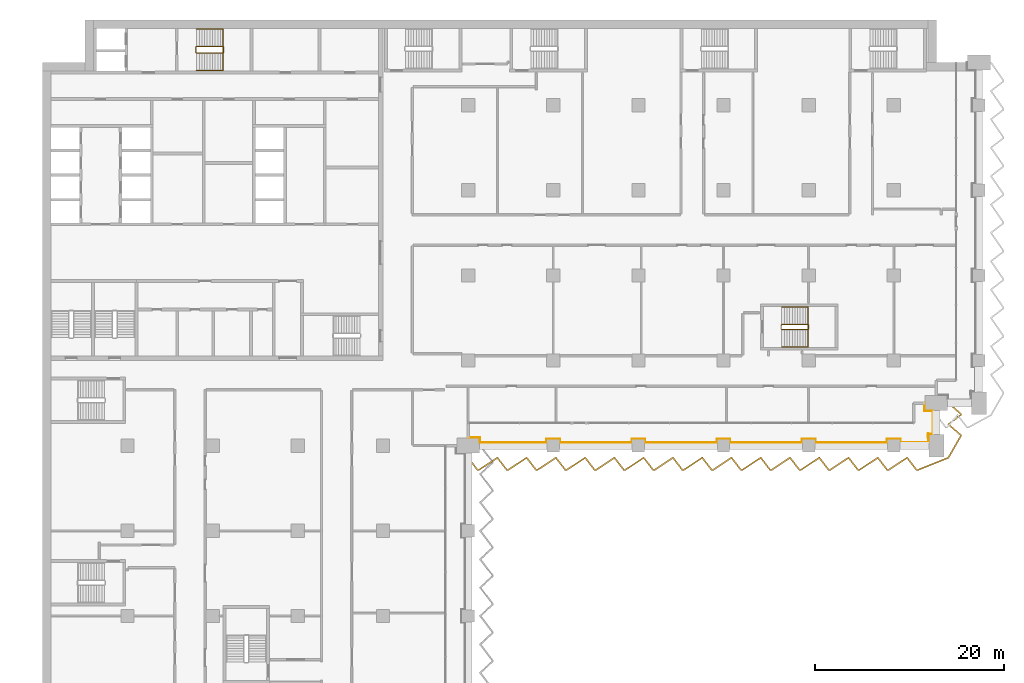
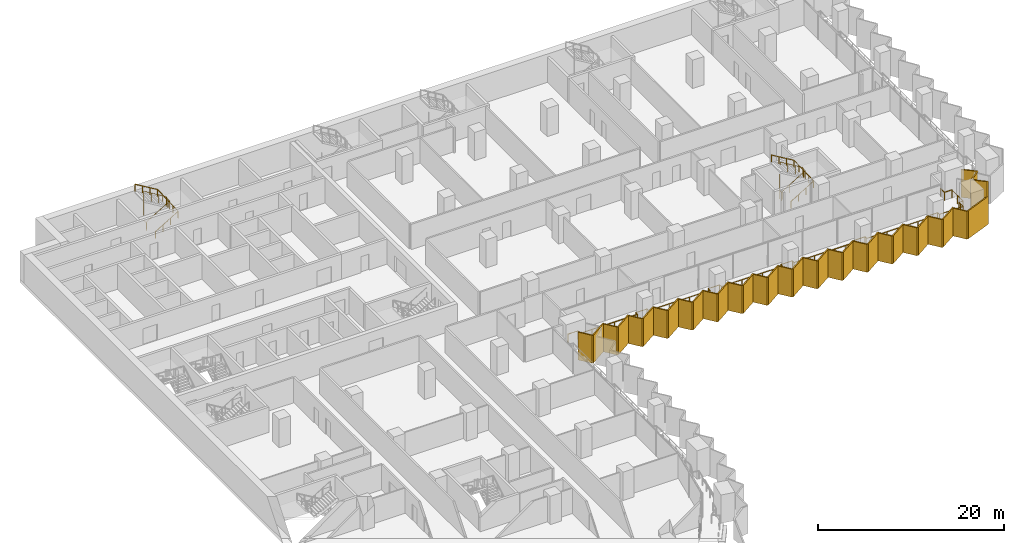
# One storey, part 27 of 29: 5 railings, 1 shading device.
"""IFC4 building model written with IfcOpenShell, lengths in metres."""

import ifcopenshell
import ifcopenshell.guid

model = None  # the IFC model being written
_history = None  # IfcOwnerHistory: only IFC2X3 demands one
_inside = {}  # id of a spatial element -> (the spatial element, [elements in it])
_under = {}  # id of a project, library or spatial element -> (it, [spatial elements below it])
_declared = {}  # id of a project -> (the project, [libraries it declares])
_typed = {}  # id of a type object -> (the type object, [elements of that type])
_made_of = {}  # id of a material, layer set ... -> (it, [elements and type objects made of it])


def new_model(schema):
    """Start an empty IFC model of exactly this schema.

    Asked for "IFC4X3", IfcOpenShell would pick the latest addendum, in which some entities
    have other attributes; the version numbers below select the first issue.
    IFC2X3 requires an IfcOwnerHistory on every rooted entity: one is made here for all.
    """
    global model, _history
    if schema == "IFC4X3":
        model = ifcopenshell.file(schema_version=(4, 3, 0, 0))
    else:
        model = ifcopenshell.file(schema=schema)
    _inside.clear()
    _under.clear()
    _declared.clear()
    _typed.clear()
    _made_of.clear()
    _history = None
    if model.schema == "IFC2X3":
        org = make("IfcOrganization", Name="unknown")
        user = make(
            "IfcPersonAndOrganization",
            ThePerson=make("IfcPerson", FamilyName="unknown"),
            TheOrganization=org,
        )
        app = make(
            "IfcApplication",
            ApplicationDeveloper=org,
            Version="unknown",
            ApplicationFullName="unknown",
            ApplicationIdentifier="unknown",
        )
        _history = make(
            "IfcOwnerHistory",
            OwningUser=user,
            OwningApplication=app,
            ChangeAction="ADDED",
            CreationDate=0,
        )
    return model


def make(cls, **values):
    """One entity of the class cls with the attributes given. An attribute that is None is left unset."""
    return model.create_entity(
        cls, **{name: value for name, value in values.items() if value is not None}
    )


def rooted(cls, **values):
    """An entity with a GlobalId (a new one), such as an element, a storey or a relation."""
    return make(cls, GlobalId=ifcopenshell.guid.new(), OwnerHistory=_history, **values)


def si_unit(unit_type, name, prefix=None):
    """IfcSIUnit, for example si_unit("LENGTHUNIT", "METRE", prefix="MILLI")."""
    return make("IfcSIUnit", UnitType=unit_type, Prefix=prefix, Name=name)


def assignment(units):
    """IfcUnitAssignment: the units of a project."""
    return None if units is None else make("IfcUnitAssignment", Units=units)


def point(xyz):
    """IfcCartesianPoint."""
    return None if xyz is None else make("IfcCartesianPoint", Coordinates=xyz)


def direction(xyz):
    """IfcDirection."""
    return None if xyz is None else make("IfcDirection", DirectionRatios=xyz)


def frame(location, z_axis=None, x_axis=None):
    """IfcAxis2Placement3D, a coordinate frame: its origin and axes. An axis left out is left unset."""
    return make(
        "IfcAxis2Placement3D",
        Location=point(location),
        Axis=direction(z_axis),
        RefDirection=direction(x_axis),
    )


def frame_2d(location, x_axis=None):
    """IfcAxis2Placement2D, a coordinate frame in the plane: its origin and x axis."""
    return make(
        "IfcAxis2Placement2D", Location=point(location), RefDirection=direction(x_axis)
    )


def origin():
    """The frame at (0, 0, 0) with its axes left unset."""
    return frame((0.0, 0.0, 0.0))


def origin_2d():
    """The frame at (0, 0) in the plane with its x axis left unset."""
    return frame_2d((0.0, 0.0))


def place(relative_to, where):
    """IfcLocalPlacement: puts the frame where relative to a parent placement (None: the world)."""
    return make(
        "IfcLocalPlacement", PlacementRelTo=relative_to, RelativePlacement=where
    )


def context(
    kind, dimensions, precision=None, world=None, true_north=None, identifier=None
):
    """IfcGeometricRepresentationContext, for example the 3D "Model" context."""
    return make(
        "IfcGeometricRepresentationContext",
        ContextIdentifier=identifier,
        ContextType=kind,
        CoordinateSpaceDimension=dimensions,
        Precision=precision,
        WorldCoordinateSystem=world,
        TrueNorth=true_north,
    )


def subcontext(parent, identifier, kind, view, scale=None):
    """IfcGeometricRepresentationSubContext, for example "Body" below "Model"."""
    return make(
        "IfcGeometricRepresentationSubContext",
        ContextIdentifier=identifier,
        ContextType=kind,
        ParentContext=parent,
        TargetScale=scale,
        TargetView=view,
    )


def project(units=None, contexts=None):
    """IfcProject with its units and contexts."""
    return rooted(
        "IfcProject",
        Name="project",
        RepresentationContexts=contexts,
        UnitsInContext=assignment(units),
    )


def spatial(cls, under=None, at=None, **own):
    """A site, building, storey or space (cls), placed at a placement, below another one or the project."""
    s = rooted(cls, ObjectPlacement=at, **own)
    if under is not None:
        _under.setdefault(under.id(), (under, []))[1].append(s)
    return s


def polyline(points):
    """IfcPolyline through the points."""
    return make("IfcPolyline", Points=[point(p) for p in points])


def profile(cls, at=None, kind="AREA", **sizes):
    """A parametric profile (cls). Its sizes go by their IFC names, for example OverallWidth=200.0."""
    return make(cls, ProfileType=kind, Position=at, **sizes)


def circle(**sizes):
    """IfcCircleProfileDef."""
    return profile("IfcCircleProfileDef", **sizes)


def outline(outer, holes=None, kind="AREA"):
    """IfcArbitraryClosedProfileDef: a profile drawn as a closed curve; with holes, ...WithVoids."""
    if holes is None:
        return make("IfcArbitraryClosedProfileDef", ProfileType=kind, OuterCurve=outer)
    return make(
        "IfcArbitraryProfileDefWithVoids",
        ProfileType=kind,
        OuterCurve=outer,
        InnerCurves=holes,
    )


def extrude(swept, where, along, depth):
    """IfcExtrudedAreaSolid: the profile swept, set in the frame where, extruded along a direction by depth."""
    return make(
        "IfcExtrudedAreaSolid",
        SweptArea=swept,
        Position=where,
        ExtrudedDirection=direction(along),
        Depth=depth,
    )


def shape(context_of_items, identifier, shape_type, items):
    """IfcShapeRepresentation: the items that make up one representation, for example the "Body"."""
    return make(
        "IfcShapeRepresentation",
        ContextOfItems=context_of_items,
        RepresentationIdentifier=identifier,
        RepresentationType=shape_type,
        Items=items,
    )


def material(Name=None, Category=None):
    """IfcMaterial."""
    return make("IfcMaterial", Name=Name, Category=Category)


def layer(
    of_material, thickness, ventilated=None, Name=None, Category=None, Priority=None
):
    """IfcMaterialLayer: one layer of a wall or slab, of a material (None: an air gap)."""
    return make(
        "IfcMaterialLayer",
        Material=of_material,
        LayerThickness=thickness,
        IsVentilated=ventilated,
        Name=Name,
        Category=Category,
        Priority=Priority,
    )


def layer_set(layers, Name=None):
    """IfcMaterialLayerSet."""
    return make("IfcMaterialLayerSet", MaterialLayers=layers, LayerSetName=Name)


def made_of(thing, what):
    """Note that an element or type object is made of a material, layer set ...; save() writes the relation."""
    if what is not None:
        _made_of.setdefault(what.id(), (what, []))[1].append(thing)
    return thing


def type_object(cls, material=None, **own):
    """A type object (cls), such as IfcWallType, which elements share."""
    return made_of(rooted(cls, **own), material)


def element(
    cls,
    number,
    at=None,
    inside=None,
    cuts=None,
    type_object=None,
    material=None,
    context=None,
    identifier="Body",
    shape_type=None,
    held_by="IfcProductDefinitionShape",
    body=None,
    shapes=None,
    **own,
):
    """One element of the class cls, such as IfcWall. Its Tag is "e" and its number.

    at: its placement. inside: the storey or other place that contains it. cuts: it is an
    opening in that element (IfcRelVoidsElement). A single representation is given by context,
    identifier, shape_type and body (its items); several are given by shapes. held_by: the class
    of the entity that holds the representations. save() writes the other relations.
    """
    e = rooted(cls, Tag="e%d" % number, ObjectPlacement=at, **own)
    if body is not None:
        shapes = [shape(context, identifier, shape_type, body)]
    if shapes is not None:
        e.Representation = make(held_by, Representations=shapes)
    if inside is not None:
        _inside.setdefault(inside.id(), (inside, []))[1].append(e)
    if cuts is not None:
        rooted(
            "IfcRelVoidsElement", RelatingBuildingElement=cuts, RelatedOpeningElement=e
        )
    if type_object is not None:
        _typed.setdefault(type_object.id(), (type_object, []))[1].append(e)
    return made_of(e, material)


def aggregate(whole, parts):
    """IfcRelAggregates: a whole, such as a stair, and the parts it consists of."""
    return rooted("IfcRelAggregates", RelatingObject=whole, RelatedObjects=parts)


def save(model, path):
    """Write the relations noted so far, then the file.

    IfcRelAggregates (storeys below a building ...), IfcRelContainedInSpatialStructure (elements
    in a storey), IfcRelDefinesByType, IfcRelAssociatesMaterial and IfcRelDeclares: one each for
    every whole, place, type object, material and project.
    """
    for whole, parts in _under.values():
        aggregate(whole, parts)
    for where, things in _inside.values():
        rooted(
            "IfcRelContainedInSpatialStructure",
            RelatedElements=things,
            RelatingStructure=where,
        )
    for kind, things in _typed.values():
        rooted("IfcRelDefinesByType", RelatedObjects=things, RelatingType=kind)
    for what, things in _made_of.values():
        rooted("IfcRelAssociatesMaterial", RelatedObjects=things, RelatingMaterial=what)
    for by, libraries in _declared.values():
        rooted("IfcRelDeclares", RelatingContext=by, RelatedDefinitions=libraries)
    model.write(path)


model = new_model("IFC4")

# Units and contexts
model_context = context("Model", 3, precision=1e-05, world=origin(), true_north=direction((0.0, 1.0)))
body_context = subcontext(model_context, "Body", "Model", "MODEL_VIEW")
ifc_project = project(units=[si_unit("LENGTHUNIT", "METRE"), si_unit("AREAUNIT", "SQUARE_METRE"), si_unit("VOLUMEUNIT", "CUBIC_METRE"), si_unit("PLANEANGLEUNIT", "RADIAN"), si_unit("MASSUNIT", "GRAM", prefix="KILO")], contexts=[model_context])

# Site, building, storey
site_placement = place(None, origin())
site = spatial("IfcSite", under=ifc_project, at=site_placement, CompositionType="ELEMENT")
building_placement = place(site_placement, origin())
building = spatial("IfcBuilding", under=site, at=building_placement, Name="Hunhe Ridgeline Campus", CompositionType="ELEMENT")
storey_placement = place(building_placement, frame((0.0, 0.0, 65.39990234375)))
storey = spatial("IfcBuildingStorey", under=building, at=storey_placement, Name="L15", CompositionType="ELEMENT", Elevation=65.39990234375)

# Railing
ifc_material_1 = material(Name="Steel Q355", Category="steel")
railing_type_1 = type_object("IfcRailingType", Name="Loggia guard 1100 Steel Q355", PredefinedType="GUARDRAIL", material=ifc_material_1)
railing_1_placement = place(storey_placement, frame((45.0, 54.8701171875, 0.0)))
element("IfcRailing", 1, at=railing_1_placement, inside=storey, type_object=railing_type_1, Name="Loggia guard 2", PredefinedType="GUARDRAIL", context=body_context, shape_type="SweptSolid", body=[
    extrude(circle(Radius=0.02392578125, at=origin_2d()), frame((0.0, 0.0, 1.076171875), z_axis=(1.0, 0.0, 0.0), x_axis=(0.0, 1.0, 0.0)), (0.0, 0.0, 1.0), 1.25),
    extrude(circle(Radius=0.02392578125, at=origin_2d()), frame((1.25, 0.0, 1.076171875), z_axis=(0.0, -1.0, 0.0), x_axis=(1.0, 0.0, 0.0)), (0.0, 0.0, 1.0), 0.52001953125),
    extrude(circle(Radius=0.02392578125, at=origin_2d()), frame((1.25, -0.52001953125, 1.076171875), z_axis=(1.0, 0.0, 0.0), x_axis=(0.0, 1.0, 0.0)), (0.0, 0.0, 1.0), 7.050048828125),
    extrude(circle(Radius=0.02392578125, at=origin_2d()), frame((8.300048828125, -0.52001953125, 1.076171875), z_axis=(0.0, 1.0, 0.0), x_axis=(-1.0, 0.0, 0.0)), (0.0, 0.0, 1.0), 0.369873046875),
    extrude(circle(Radius=0.02392578125, at=origin_2d()), frame((8.300048828125, -0.150146484375, 1.076171875), z_axis=(1.0, 0.0, 0.0), x_axis=(0.0, 1.0, 0.0)), (0.0, 0.0, 1.0), 1.39990234375),
    extrude(circle(Radius=0.02392578125, at=origin_2d()), frame((9.699951171875, -0.150146484375, 1.076171875), z_axis=(0.0, -1.0, 0.0), x_axis=(1.0, 0.0, 0.0)), (0.0, 0.0, 1.0), 0.369873046875),
    extrude(circle(Radius=0.02392578125, at=origin_2d()), frame((9.699951171875, -0.52001953125, 1.076171875), z_axis=(1.0, 0.0, 0.0), x_axis=(0.0, 1.0, 0.0)), (0.0, 0.0, 1.0), 7.60009765625),
    extrude(circle(Radius=0.02392578125, at=origin_2d()), frame((17.300048828125, -0.52001953125, 1.076171875), z_axis=(0.0, 1.0, 0.0), x_axis=(-1.0, 0.0, 0.0)), (0.0, 0.0, 1.0), 0.369873046875),
    extrude(circle(Radius=0.02392578125, at=origin_2d()), frame((17.300048828125, -0.150146484375, 1.076171875), z_axis=(1.0, 0.0, 0.0), x_axis=(0.0, 1.0, 0.0)), (0.0, 0.0, 1.0), 1.39990234375),
    extrude(circle(Radius=0.02392578125, at=origin_2d()), frame((18.699951171875, -0.150146484375, 1.076171875), z_axis=(0.0, -1.0, 0.0), x_axis=(1.0, 0.0, 0.0)), (0.0, 0.0, 1.0), 0.369873046875),
    extrude(circle(Radius=0.02392578125, at=origin_2d()), frame((18.699951171875, -0.52001953125, 1.076171875), z_axis=(1.0, 0.0, 0.0), x_axis=(0.0, 1.0, 0.0)), (0.0, 0.0, 1.0), 7.60009765625),
    extrude(circle(Radius=0.02392578125, at=origin_2d()), frame((26.300048828125, -0.52001953125, 1.076171875), z_axis=(0.0, 1.0, 0.0), x_axis=(-1.0, 0.0, 0.0)), (0.0, 0.0, 1.0), 0.369873046875),
    extrude(circle(Radius=0.02392578125, at=origin_2d()), frame((26.300048828125, -0.150146484375, 1.076171875), z_axis=(1.0, 0.0, 0.0), x_axis=(0.0, 1.0, 0.0)), (0.0, 0.0, 1.0), 1.39990234375),
    extrude(circle(Radius=0.02392578125, at=origin_2d()), frame((27.699951171875, -0.150146484375, 1.076171875), z_axis=(0.0, -1.0, 0.0), x_axis=(1.0, 0.0, 0.0)), (0.0, 0.0, 1.0), 0.369873046875),
    extrude(circle(Radius=0.02392578125, at=origin_2d()), frame((27.699951171875, -0.52001953125, 1.076171875), z_axis=(1.0, 0.0, 0.0), x_axis=(0.0, 1.0, 0.0)), (0.0, 0.0, 1.0), 7.60009765625),
    extrude(circle(Radius=0.02392578125, at=origin_2d()), frame((35.300048828125, -0.52001953125, 1.076171875), z_axis=(0.0, 1.0, 0.0), x_axis=(-1.0, 0.0, 0.0)), (0.0, 0.0, 1.0), 0.369873046875),
    extrude(circle(Radius=0.02392578125, at=origin_2d()), frame((35.300048828125, -0.150146484375, 1.076171875), z_axis=(1.0, 0.0, 0.0), x_axis=(0.0, 1.0, 0.0)), (0.0, 0.0, 1.0), 1.39990234375),
    extrude(circle(Radius=0.02392578125, at=origin_2d()), frame((36.699951171875, -0.150146484375, 1.076171875), z_axis=(0.0, -1.0, 0.0), x_axis=(1.0, 0.0, 0.0)), (0.0, 0.0, 1.0), 0.369873046875),
    extrude(circle(Radius=0.02392578125, at=origin_2d()), frame((36.699951171875, -0.52001953125, 1.076171875), z_axis=(1.0, 0.0, 0.0), x_axis=(0.0, 1.0, 0.0)), (0.0, 0.0, 1.0), 7.60009765625),
    extrude(circle(Radius=0.02392578125, at=origin_2d()), frame((44.300048828125, -0.52001953125, 1.076171875), z_axis=(0.0, 1.0, 0.0), x_axis=(-1.0, 0.0, 0.0)), (0.0, 0.0, 1.0), 0.369873046875),
    extrude(circle(Radius=0.02392578125, at=origin_2d()), frame((44.300048828125, -0.150146484375, 1.076171875), z_axis=(1.0, 0.0, 0.0), x_axis=(0.0, 1.0, 0.0)), (0.0, 0.0, 1.0), 1.39990234375),
    extrude(circle(Radius=0.02392578125, at=origin_2d()), frame((45.699951171875, -0.150146484375, 1.076171875), z_axis=(0.0, -1.0, 0.0), x_axis=(1.0, 0.0, 0.0)), (0.0, 0.0, 1.0), 0.369873046875),
    extrude(circle(Radius=0.02392578125, at=origin_2d()), frame((45.699951171875, -0.52001953125, 1.076171875), z_axis=(1.0, 0.0, 0.0), x_axis=(0.0, 1.0, 0.0)), (0.0, 0.0, 1.0), 2.949951171875),
    extrude(circle(Radius=0.02392578125, at=origin_2d()), frame((48.64990234375, -0.52001953125, 1.076171875), z_axis=(0.0, 1.0, 0.0), x_axis=(-1.0, 0.0, 0.0)), (0.0, 0.0, 1.0), 0.919921875),
    extrude(circle(Radius=0.02392578125, at=origin_2d()), frame((48.64990234375, 0.39990234375, 1.076171875), z_axis=(-0.049998438503, -0.998749295943, 0.0), x_axis=(0.998749295943, -0.049998438503, 0.0)), (0.0, 0.0, 1.0), 0.400390625),
    extrude(circle(Radius=0.02392578125, at=origin_2d()), frame((48.6298828125, 0.0, 1.076171875), z_axis=(0.0, 1.0, 0.0), x_axis=(-1.0, 0.0, 0.0)), (0.0, 0.0, 1.0), 0.3798828125),
    extrude(circle(Radius=0.02392578125, at=origin_2d()), frame((48.6298828125, 0.3798828125, 1.076171875), z_axis=(1.0, 0.0, 0.0), x_axis=(0.0, 1.0, 0.0)), (0.0, 0.0, 1.0), 0.52001953125),
    extrude(circle(Radius=0.02392578125, at=origin_2d()), frame((49.14990234375, 0.3798828125, 1.076171875), z_axis=(0.0, 1.0, 0.0), x_axis=(-1.0, 0.0, 0.0)), (0.0, 0.0, 1.0), 2.39990234375),
    extrude(circle(Radius=0.02392578125, at=origin_2d()), frame((49.14990234375, 2.77978515625, 1.076171875), z_axis=(-1.0, 0.0, 0.0), x_axis=(0.0, -1.0, 0.0)), (0.0, 0.0, 1.0), 0.919921875),
    extrude(circle(Radius=0.02392578125, at=origin_2d()), frame((48.22998046875, 2.77978515625, 1.076171875), z_axis=(0.0, 1.0, 0.0), x_axis=(-1.0, 0.0, 0.0)), (0.0, 0.0, 1.0), 0.85009765625),
    extrude(circle(Radius=0.02099609375, at=origin_2d()), origin(), (0.0, 0.0, 1.0), 1.052001953125),
    extrude(circle(Radius=0.02099609375, at=origin_2d()), frame((1.25, 0.0, 0.0)), (0.0, 0.0, 1.0), 1.052001953125),
    extrude(circle(Radius=0.02099609375, at=origin_2d()), frame((1.25, -0.52001953125, 0.0)), (0.0, 0.0, 1.0), 1.052001953125),
    extrude(circle(Radius=0.02099609375, at=origin_2d()), frame((2.659912109375, -0.52001953125, 0.0)), (0.0, 0.0, 1.0), 1.052001953125),
    extrude(circle(Radius=0.02099609375, at=origin_2d()), frame((4.070068359375, -0.52001953125, 0.0)), (0.0, 0.0, 1.0), 1.052001953125),
    extrude(circle(Radius=0.02099609375, at=origin_2d()), frame((5.47998046875, -0.52001953125, 0.0)), (0.0, 0.0, 1.0), 1.052001953125),
    extrude(circle(Radius=0.02099609375, at=origin_2d()), frame((6.89013671875, -0.52001953125, 0.0)), (0.0, 0.0, 1.0), 1.052001953125),
    extrude(circle(Radius=0.02099609375, at=origin_2d()), frame((8.300048828125, -0.52001953125, 0.0)), (0.0, 0.0, 1.0), 1.052001953125),
    extrude(circle(Radius=0.02099609375, at=origin_2d()), frame((8.300048828125, -0.150146484375, 0.0)), (0.0, 0.0, 1.0), 1.052001953125),
    extrude(circle(Radius=0.02099609375, at=origin_2d()), frame((9.699951171875, -0.150146484375, 0.0)), (0.0, 0.0, 1.0), 1.052001953125),
    extrude(circle(Radius=0.02099609375, at=origin_2d()), frame((9.699951171875, -0.52001953125, 0.0)), (0.0, 0.0, 1.0), 1.052001953125),
    extrude(circle(Radius=0.02099609375, at=origin_2d()), frame((10.966552734375, -0.52001953125, 0.0)), (0.0, 0.0, 1.0), 1.052001953125),
    extrude(circle(Radius=0.02099609375, at=origin_2d()), frame((12.2333984375, -0.52001953125, 0.0)), (0.0, 0.0, 1.0), 1.052001953125),
    extrude(circle(Radius=0.02099609375, at=origin_2d()), frame((13.5, -0.52001953125, 0.0)), (0.0, 0.0, 1.0), 1.052001953125),
    extrude(circle(Radius=0.02099609375, at=origin_2d()), frame((14.7666015625, -0.52001953125, 0.0)), (0.0, 0.0, 1.0), 1.052001953125),
    extrude(circle(Radius=0.02099609375, at=origin_2d()), frame((16.033447265625, -0.52001953125, 0.0)), (0.0, 0.0, 1.0), 1.052001953125),
    extrude(circle(Radius=0.02099609375, at=origin_2d()), frame((17.300048828125, -0.52001953125, 0.0)), (0.0, 0.0, 1.0), 1.052001953125),
    extrude(circle(Radius=0.02099609375, at=origin_2d()), frame((17.300048828125, -0.150146484375, 0.0)), (0.0, 0.0, 1.0), 1.052001953125),
    extrude(circle(Radius=0.02099609375, at=origin_2d()), frame((18.699951171875, -0.150146484375, 0.0)), (0.0, 0.0, 1.0), 1.052001953125),
    extrude(circle(Radius=0.02099609375, at=origin_2d()), frame((18.699951171875, -0.52001953125, 0.0)), (0.0, 0.0, 1.0), 1.052001953125),
    extrude(circle(Radius=0.02099609375, at=origin_2d()), frame((19.966552734375, -0.52001953125, 0.0)), (0.0, 0.0, 1.0), 1.052001953125),
    extrude(circle(Radius=0.02099609375, at=origin_2d()), frame((21.2333984375, -0.52001953125, 0.0)), (0.0, 0.0, 1.0), 1.052001953125),
    extrude(circle(Radius=0.02099609375, at=origin_2d()), frame((22.5, -0.52001953125, 0.0)), (0.0, 0.0, 1.0), 1.052001953125),
    extrude(circle(Radius=0.02099609375, at=origin_2d()), frame((23.7666015625, -0.52001953125, 0.0)), (0.0, 0.0, 1.0), 1.052001953125),
    extrude(circle(Radius=0.02099609375, at=origin_2d()), frame((25.033447265625, -0.52001953125, 0.0)), (0.0, 0.0, 1.0), 1.052001953125),
    extrude(circle(Radius=0.02099609375, at=origin_2d()), frame((26.300048828125, -0.52001953125, 0.0)), (0.0, 0.0, 1.0), 1.052001953125),
    extrude(circle(Radius=0.02099609375, at=origin_2d()), frame((26.300048828125, -0.150146484375, 0.0)), (0.0, 0.0, 1.0), 1.052001953125),
    extrude(circle(Radius=0.02099609375, at=origin_2d()), frame((27.699951171875, -0.150146484375, 0.0)), (0.0, 0.0, 1.0), 1.052001953125),
    extrude(circle(Radius=0.02099609375, at=origin_2d()), frame((27.699951171875, -0.52001953125, 0.0)), (0.0, 0.0, 1.0), 1.052001953125),
    extrude(circle(Radius=0.02099609375, at=origin_2d()), frame((28.966552734375, -0.52001953125, 0.0)), (0.0, 0.0, 1.0), 1.052001953125),
    extrude(circle(Radius=0.02099609375, at=origin_2d()), frame((30.2333984375, -0.52001953125, 0.0)), (0.0, 0.0, 1.0), 1.052001953125),
    extrude(circle(Radius=0.02099609375, at=origin_2d()), frame((31.5, -0.52001953125, 0.0)), (0.0, 0.0, 1.0), 1.052001953125),
    extrude(circle(Radius=0.02099609375, at=origin_2d()), frame((32.7666015625, -0.52001953125, 0.0)), (0.0, 0.0, 1.0), 1.052001953125),
    extrude(circle(Radius=0.02099609375, at=origin_2d()), frame((34.033447265625, -0.52001953125, 0.0)), (0.0, 0.0, 1.0), 1.052001953125),
    extrude(circle(Radius=0.02099609375, at=origin_2d()), frame((35.300048828125, -0.52001953125, 0.0)), (0.0, 0.0, 1.0), 1.052001953125),
    extrude(circle(Radius=0.02099609375, at=origin_2d()), frame((35.300048828125, -0.150146484375, 0.0)), (0.0, 0.0, 1.0), 1.052001953125),
    extrude(circle(Radius=0.02099609375, at=origin_2d()), frame((36.699951171875, -0.150146484375, 0.0)), (0.0, 0.0, 1.0), 1.052001953125),
    extrude(circle(Radius=0.02099609375, at=origin_2d()), frame((36.699951171875, -0.52001953125, 0.0)), (0.0, 0.0, 1.0), 1.052001953125),
    extrude(circle(Radius=0.02099609375, at=origin_2d()), frame((37.966552734375, -0.52001953125, 0.0)), (0.0, 0.0, 1.0), 1.052001953125),
    extrude(circle(Radius=0.02099609375, at=origin_2d()), frame((39.2333984375, -0.52001953125, 0.0)), (0.0, 0.0, 1.0), 1.052001953125),
    extrude(circle(Radius=0.02099609375, at=origin_2d()), frame((40.5, -0.52001953125, 0.0)), (0.0, 0.0, 1.0), 1.052001953125),
    extrude(circle(Radius=0.02099609375, at=origin_2d()), frame((41.7666015625, -0.52001953125, 0.0)), (0.0, 0.0, 1.0), 1.052001953125),
    extrude(circle(Radius=0.02099609375, at=origin_2d()), frame((43.033447265625, -0.52001953125, 0.0)), (0.0, 0.0, 1.0), 1.052001953125),
    extrude(circle(Radius=0.02099609375, at=origin_2d()), frame((44.300048828125, -0.52001953125, 0.0)), (0.0, 0.0, 1.0), 1.052001953125),
    extrude(circle(Radius=0.02099609375, at=origin_2d()), frame((44.300048828125, -0.150146484375, 0.0)), (0.0, 0.0, 1.0), 1.052001953125),
    extrude(circle(Radius=0.02099609375, at=origin_2d()), frame((45.699951171875, -0.150146484375, 0.0)), (0.0, 0.0, 1.0), 1.052001953125),
    extrude(circle(Radius=0.02099609375, at=origin_2d()), frame((45.699951171875, -0.52001953125, 0.0)), (0.0, 0.0, 1.0), 1.052001953125),
    extrude(circle(Radius=0.02099609375, at=origin_2d()), frame((47.1748046875, -0.52001953125, 0.0)), (0.0, 0.0, 1.0), 1.052001953125),
    extrude(circle(Radius=0.02099609375, at=origin_2d()), frame((48.64990234375, -0.52001953125, 0.0)), (0.0, 0.0, 1.0), 1.052001953125),
    extrude(circle(Radius=0.02099609375, at=origin_2d()), frame((48.64990234375, 0.39990234375, 0.0)), (0.0, 0.0, 1.0), 1.052001953125),
    extrude(circle(Radius=0.02099609375, at=origin_2d()), frame((48.6298828125, 0.0, 0.0)), (0.0, 0.0, 1.0), 1.052001953125),
    extrude(circle(Radius=0.02099609375, at=origin_2d()), frame((48.6298828125, 0.3798828125, 0.0)), (0.0, 0.0, 1.0), 1.052001953125),
    extrude(circle(Radius=0.02099609375, at=origin_2d()), frame((49.14990234375, 0.3798828125, 0.0)), (0.0, 0.0, 1.0), 1.052001953125),
    extrude(circle(Radius=0.02099609375, at=origin_2d()), frame((49.14990234375, 1.579833984375, 0.0)), (0.0, 0.0, 1.0), 1.052001953125),
    extrude(circle(Radius=0.02099609375, at=origin_2d()), frame((49.14990234375, 2.77978515625, 0.0)), (0.0, 0.0, 1.0), 1.052001953125),
    extrude(circle(Radius=0.02099609375, at=origin_2d()), frame((48.22998046875, 2.77978515625, 0.0)), (0.0, 0.0, 1.0), 1.052001953125),
    extrude(circle(Radius=0.02099609375, at=origin_2d()), frame((48.22998046875, 3.6298828125, 0.0)), (0.0, 0.0, 1.0), 1.052001953125),
])

# Shading device
ifc_material_2 = material(Name="Concrete C50", Category="concrete")
ifc_layer = layer(ifc_material_2, 0.14990234375)
ifc_layer_set = layer_set([ifc_layer], Name="Sawtooth concrete fin 150 Concrete C50")
shading_device_type = type_object("IfcShadingDeviceType", Name="Sawtooth concrete fin 150 Concrete C50", PredefinedType="USERDEFINED", material=ifc_layer_set)
shading_device_placement = place(storey_placement, frame((0.0, 0.0, -0.949951171875)))
element("IfcShadingDevice", 2, at=shading_device_placement, inside=storey, type_object=shading_device_type, Name="Concrete fin screen 2", ObjectType="FIN", PredefinedType="USERDEFINED", context=body_context, shape_type="SweptSolid", body=[
    extrude(outline(polyline([(45.059326171875, 52.770751953125), (44.940673828125, 52.67919921875), (45.965087890625, 51.35009765625), (46.14453125, 51.35009765625), (48.076904296875, 52.6240234375), (49.058837890625, 51.35009765625), (49.23828125, 51.35009765625), (51.170654296875, 52.6240234375), (52.152587890625, 51.35009765625), (52.33203125, 51.35009765625), (54.264404296875, 52.6240234375), (55.246337890625, 51.35009765625), (55.42578125, 51.35009765625), (57.358154296875, 52.6240234375), (58.340087890625, 51.35009765625), (58.51953125, 51.35009765625), (60.451904296875, 52.6240234375), (61.433837890625, 51.35009765625), (61.61328125, 51.35009765625), (63.545654296875, 52.6240234375), (64.527587890625, 51.35009765625), (64.70703125, 51.35009765625), (66.639404296875, 52.6240234375), (67.621337890625, 51.35009765625), (67.80078125, 51.35009765625), (69.733154296875, 52.6240234375), (70.715087890625, 51.35009765625), (70.89453125, 51.35009765625), (72.826904296875, 52.6240234375), (73.808837890625, 51.35009765625), (73.98828125, 51.35009765625), (75.920654296875, 52.6240234375), (76.902587890625, 51.35009765625), (77.08203125, 51.35009765625), (79.014404296875, 52.6240234375), (79.996337890625, 51.35009765625), (80.17578125, 51.35009765625), (82.108154296875, 52.6240234375), (83.090087890625, 51.35009765625), (83.26953125, 51.35009765625), (85.201904296875, 52.6240234375), (86.183837890625, 51.35009765625), (86.36328125, 51.35009765625), (88.295654296875, 52.6240234375), (89.277587890625, 51.35009765625), (89.45703125, 51.35009765625), (91.389404296875, 52.6240234375), (92.371337890625, 51.35009765625), (92.542724609375, 51.35009765625), (95.8271484375, 52.6650390625), (97.14990234375, 54.982177734375), (97.14990234375, 55.15625), (95.893310546875, 56.24658203125), (97.14990234375, 57.215087890625), (97.14990234375, 57.40625), (95.82421875, 58.556640625), (95.725830078125, 58.443359375), (97.0, 57.337890625), (97.0, 57.288818359375), (95.656494140625, 56.25341796875), (97.0, 55.087890625), (97.0, 55.02197265625), (95.722900390625, 52.784912109375), (92.513916015625, 51.5), (92.445068359375, 51.5), (91.423095703125, 52.825927734375), (89.412109375, 51.5), (89.351318359375, 51.5), (88.329345703125, 52.825927734375), (86.318359375, 51.5), (86.257568359375, 51.5), (85.235595703125, 52.825927734375), (83.224609375, 51.5), (83.163818359375, 51.5), (82.141845703125, 52.825927734375), (80.130859375, 51.5), (80.070068359375, 51.5), (79.048095703125, 52.825927734375), (77.037109375, 51.5), (76.976318359375, 51.5), (75.954345703125, 52.825927734375), (73.943359375, 51.5), (73.882568359375, 51.5), (72.860595703125, 52.825927734375), (70.849609375, 51.5), (70.788818359375, 51.5), (69.766845703125, 52.825927734375), (67.755859375, 51.5), (67.695068359375, 51.5), (66.673095703125, 52.825927734375), (64.662109375, 51.5), (64.601318359375, 51.5), (63.579345703125, 52.825927734375), (61.568359375, 51.5), (61.507568359375, 51.5), (60.485595703125, 52.825927734375), (58.474609375, 51.5), (58.413818359375, 51.5), (57.391845703125, 52.825927734375), (55.380859375, 51.5), (55.320068359375, 51.5), (54.298095703125, 52.825927734375), (52.287109375, 51.5), (52.226318359375, 51.5), (51.204345703125, 52.825927734375), (49.193359375, 51.5), (49.132568359375, 51.5), (48.110595703125, 52.825927734375), (46.099609375, 51.5), (46.038818359375, 51.5), (45.059326171875, 52.770751953125)])), origin(), (0.0, 0.0, 1.0), 3.650146484375),
])

# Railings
ifc_material_3 = material(Name="Stainless steel balustrade", Category="steel")
railing_type_2 = type_object("IfcRailingType", Name="Stair guard 1100 stainless", PredefinedType="GUARDRAIL", material=ifc_material_3)
railing_2_placement = place(storey_placement, frame((16.300048828125, 95.5, 0.168212890625)))
element("IfcRailing", 3, at=railing_2_placement, inside=storey, type_object=railing_type_2, Name="L15 stair S1 guard", PredefinedType="GUARDRAIL", context=body_context, shape_type="SweptSolid", body=[
    extrude(circle(Radius=0.02392578125, at=origin_2d()), frame((0.0, 0.0, 1.076171875), z_axis=(0.857242210791, 0.0, 0.514913383045), x_axis=(0.0, 1.0, 0.0)), (0.0, 0.0, 1.0), 3.266357421875),
    extrude(circle(Radius=0.02392578125, at=origin_2d()), frame((2.800048828125, 0.0, 2.7578125), z_axis=(0.705375805398, 0.708833529934, 0.0), x_axis=(-0.708833529934, 0.705375805398, 0.0)), (0.0, 0.0, 1.0), 0.070556640625),
    extrude(circle(Radius=0.02392578125, at=origin_2d()), frame((2.849853515625, 0.050048828125, 2.7578125), z_axis=(0.0, 1.0, 0.0), x_axis=(-1.0, 0.0, 0.0)), (0.0, 0.0, 1.0), 0.599853515625),
    extrude(circle(Radius=0.02392578125, at=origin_2d()), frame((2.849853515625, 0.64990234375, 2.7578125), z_axis=(-0.273006030465, 0.27434429532, 0.922064485248), x_axis=(-0.708833529934, -0.705375805398, 0.0)), (0.0, 0.0, 1.0), 0.182373046875),
    extrude(circle(Radius=0.02392578125, at=origin_2d()), frame((2.800048828125, 0.699951171875, 2.92626953125), z_axis=(-0.857242210791, 0.0, 0.514913383045), x_axis=(0.0, -1.0, 0.0)), (0.0, 0.0, 1.0), 3.266357421875),
    extrude(circle(Radius=0.02392578125, at=origin_2d()), frame((0.0, 0.699951171875, 4.60791015625), z_axis=(-0.013523522368, -0.013523522368, -0.999817097616), x_axis=(0.707106781187, -0.707106781187, 0.0)), (0.0, 0.0, 1.0), 3.700927734375),
    extrude(circle(Radius=0.02392578125, at=origin_2d()), frame((-0.050048828125, 0.64990234375, 0.90771484375), z_axis=(0.0, -1.0, 0.0), x_axis=(1.0, 0.0, 0.0)), (0.0, 0.0, 1.0), 0.599853515625),
    extrude(circle(Radius=0.02099609375, at=origin_2d()), origin(), (0.0, 0.0, 1.0), 1.052001953125),
    extrude(circle(Radius=0.02099609375, at=origin_2d()), frame((0.933349609375, 0.0, 0.560546875)), (0.0, 0.0, 1.0), 1.052001953125),
    extrude(circle(Radius=0.02099609375, at=origin_2d()), frame((1.86669921875, 0.0, 1.121337890625)), (0.0, 0.0, 1.0), 1.052001953125),
    extrude(circle(Radius=0.02099609375, at=origin_2d()), frame((2.800048828125, 0.0, 1.681884765625)), (0.0, 0.0, 1.0), 1.052001953125),
    extrude(circle(Radius=0.02099609375, at=origin_2d()), frame((2.849853515625, 0.050048828125, 1.681884765625)), (0.0, 0.0, 1.0), 1.052001953125),
    extrude(circle(Radius=0.02099609375, at=origin_2d()), frame((2.849853515625, 0.64990234375, 1.681884765625)), (0.0, 0.0, 1.0), 1.052001953125),
    extrude(circle(Radius=0.02099609375, at=origin_2d()), frame((2.800048828125, 0.699951171875, 1.85009765625)), (0.0, 0.0, 1.0), 1.052001953125),
    extrude(circle(Radius=0.02099609375, at=origin_2d()), frame((1.86669921875, 0.699951171875, 2.41064453125)), (0.0, 0.0, 1.0), 1.052001953125),
    extrude(circle(Radius=0.02099609375, at=origin_2d()), frame((0.933349609375, 0.699951171875, 2.971435546875)), (0.0, 0.0, 1.0), 1.052001953125),
    extrude(circle(Radius=0.02099609375, at=origin_2d()), frame((0.0, 0.699951171875, 3.531982421875)), (0.0, 0.0, 1.0), 1.052001953125),
    extrude(circle(Radius=0.02099609375, at=origin_2d()), frame((-0.012451171875, 0.6875, 2.60693359375)), (0.0, 0.0, 1.0), 1.052001953125),
    extrude(circle(Radius=0.02099609375, at=origin_2d()), frame((-0.02490234375, 0.6748046875, 1.681884765625)), (0.0, 0.0, 1.0), 1.052001953125),
    extrude(circle(Radius=0.02099609375, at=origin_2d()), frame((-0.03759765625, 0.662353515625, 0.7568359375)), (0.0, 0.0, 1.0), 1.052001953125),
    extrude(circle(Radius=0.02099609375, at=origin_2d()), frame((-0.050048828125, 0.64990234375, -0.168212890625)), (0.0, 0.0, 1.0), 1.052001953125),
    extrude(circle(Radius=0.02099609375, at=origin_2d()), frame((-0.050048828125, 0.050048828125, -0.168212890625)), (0.0, 0.0, 1.0), 1.052001953125),
])
railing_3_placement = place(storey_placement, frame((78.14990234375, 66.300048828125, 0.168212890625)))
element("IfcRailing", 4, at=railing_3_placement, inside=storey, type_object=railing_type_2, Name="L15 stair E5 guard", PredefinedType="GUARDRAIL", context=body_context, shape_type="SweptSolid", body=[
    extrude(circle(Radius=0.02392578125, at=origin_2d()), frame((0.0, 0.0, 1.076171875), z_axis=(0.857242210791, 0.0, 0.514913383045), x_axis=(0.0, 1.0, 0.0)), (0.0, 0.0, 1.0), 3.266357421875),
    extrude(circle(Radius=0.02392578125, at=origin_2d()), frame((2.800048828125, 0.0, 2.7578125), z_axis=(0.707106781187, 0.707106781187, 0.0), x_axis=(-0.707106781187, 0.707106781187, 0.0)), (0.0, 0.0, 1.0), 0.07080078125),
    extrude(circle(Radius=0.02392578125, at=origin_2d()), frame((2.85009765625, 0.050048828125, 2.7578125), z_axis=(0.0, 1.0, 0.0), x_axis=(-1.0, 0.0, 0.0)), (0.0, 0.0, 1.0), 0.39990234375),
    extrude(circle(Radius=0.02392578125, at=origin_2d()), frame((2.85009765625, 0.449951171875, 2.7578125), z_axis=(-0.274243871929, 0.274243871929, 0.92172696468), x_axis=(-0.707106781187, -0.707106781187, 0.0)), (0.0, 0.0, 1.0), 0.1826171875),
    extrude(circle(Radius=0.02392578125, at=origin_2d()), frame((2.800048828125, 0.5, 2.92626953125), z_axis=(-0.857242210791, 0.0, 0.514913383045), x_axis=(0.0, -1.0, 0.0)), (0.0, 0.0, 1.0), 3.266357421875),
    extrude(circle(Radius=0.02392578125, at=origin_2d()), frame((0.0, 0.5, 4.60791015625), z_axis=(-0.013457565943, -0.013523534403, -0.999817987404), x_axis=(0.708833529934, -0.705375805398, 0.0)), (0.0, 0.0, 1.0), 3.700927734375),
    extrude(circle(Radius=0.02392578125, at=origin_2d()), frame((-0.0498046875, 0.449951171875, 0.90771484375), z_axis=(0.0, -1.0, 0.0), x_axis=(1.0, 0.0, 0.0)), (0.0, 0.0, 1.0), 0.39990234375),
    extrude(circle(Radius=0.02099609375, at=origin_2d()), origin(), (0.0, 0.0, 1.0), 1.052001953125),
    extrude(circle(Radius=0.02099609375, at=origin_2d()), frame((0.933349609375, 0.0, 0.560546875)), (0.0, 0.0, 1.0), 1.052001953125),
    extrude(circle(Radius=0.02099609375, at=origin_2d()), frame((1.86669921875, 0.0, 1.121337890625)), (0.0, 0.0, 1.0), 1.052001953125),
    extrude(circle(Radius=0.02099609375, at=origin_2d()), frame((2.800048828125, 0.0, 1.681884765625)), (0.0, 0.0, 1.0), 1.052001953125),
    extrude(circle(Radius=0.02099609375, at=origin_2d()), frame((2.85009765625, 0.050048828125, 1.681884765625)), (0.0, 0.0, 1.0), 1.052001953125),
    extrude(circle(Radius=0.02099609375, at=origin_2d()), frame((2.85009765625, 0.449951171875, 1.681884765625)), (0.0, 0.0, 1.0), 1.052001953125),
    extrude(circle(Radius=0.02099609375, at=origin_2d()), frame((2.800048828125, 0.5, 1.85009765625)), (0.0, 0.0, 1.0), 1.052001953125),
    extrude(circle(Radius=0.02099609375, at=origin_2d()), frame((1.86669921875, 0.5, 2.41064453125)), (0.0, 0.0, 1.0), 1.052001953125),
    extrude(circle(Radius=0.02099609375, at=origin_2d()), frame((0.933349609375, 0.5, 2.971435546875)), (0.0, 0.0, 1.0), 1.052001953125),
    extrude(circle(Radius=0.02099609375, at=origin_2d()), frame((0.0, 0.5, 3.531982421875)), (0.0, 0.0, 1.0), 1.052001953125),
    extrude(circle(Radius=0.02099609375, at=origin_2d()), frame((-0.012451171875, 0.487548828125, 2.60693359375)), (0.0, 0.0, 1.0), 1.052001953125),
    extrude(circle(Radius=0.02099609375, at=origin_2d()), frame((-0.02490234375, 0.47509765625, 1.681884765625)), (0.0, 0.0, 1.0), 1.052001953125),
    extrude(circle(Radius=0.02099609375, at=origin_2d()), frame((-0.037353515625, 0.46240234375, 0.7568359375)), (0.0, 0.0, 1.0), 1.052001953125),
    extrude(circle(Radius=0.02099609375, at=origin_2d()), frame((-0.0498046875, 0.449951171875, -0.168212890625)), (0.0, 0.0, 1.0), 1.052001953125),
    extrude(circle(Radius=0.02099609375, at=origin_2d()), frame((-0.0498046875, 0.050048828125, -0.168212890625)), (0.0, 0.0, 1.0), 1.052001953125),
])
ifc_material_4 = material(Name="Stainless steel handrail", Category="steel")
railing_type_3 = type_object("IfcRailingType", Name="Stair handrail 900 stainless", PredefinedType="HANDRAIL", material=ifc_material_4)
railing_4_placement = place(storey_placement, frame((16.300048828125, 93.64990234375, 0.168212890625)))
element("IfcRailing", 5, at=railing_4_placement, inside=storey, type_object=railing_type_3, Name="L15 stair S1 handrail", PredefinedType="HANDRAIL", context=body_context, shape_type="SweptSolid", body=[
    extrude(circle(Radius=0.02392578125, at=origin_2d()), frame((0.0, 0.0, 0.8759765625), z_axis=(0.857242210791, 0.0, 0.514913383045), x_axis=(0.0, 1.0, 0.0)), (0.0, 0.0, 1.0), 3.266357421875),
    extrude(circle(Radius=0.02392578125, at=origin_2d()), frame((2.800048828125, 0.0, 2.5576171875), z_axis=(0.0, 0.999270074432, 0.038201025428), x_axis=(-1.0, 0.0, 0.0)), (0.0, 0.0, 1.0), 4.4033203125),
    extrude(circle(Radius=0.02392578125, at=origin_2d()), frame((2.800048828125, 4.400146484375, 2.72607421875), z_axis=(-0.857242210791, 0.0, 0.514913383045), x_axis=(0.0, -1.0, 0.0)), (0.0, 0.0, 1.0), 3.266357421875),
    extrude(circle(Radius=0.02099609375, at=origin_2d()), origin(), (0.0, 0.0, 1.0), 0.851806640625),
    extrude(circle(Radius=0.02099609375, at=origin_2d()), frame((0.933349609375, 0.0, 0.560546875)), (0.0, 0.0, 1.0), 0.851806640625),
    extrude(circle(Radius=0.02099609375, at=origin_2d()), frame((1.86669921875, 0.0, 1.121337890625)), (0.0, 0.0, 1.0), 0.851806640625),
    extrude(circle(Radius=0.02099609375, at=origin_2d()), frame((2.800048828125, 0.0, 1.681884765625)), (0.0, 0.0, 1.0), 0.851806640625),
    extrude(circle(Radius=0.02099609375, at=origin_2d()), frame((2.800048828125, 1.10009765625, 1.723876953125)), (0.0, 0.0, 1.0), 0.851806640625),
    extrude(circle(Radius=0.02099609375, at=origin_2d()), frame((2.800048828125, 2.2001953125, 1.76611328125)), (0.0, 0.0, 1.0), 0.851806640625),
    extrude(circle(Radius=0.02099609375, at=origin_2d()), frame((2.800048828125, 3.300048828125, 1.80810546875)), (0.0, 0.0, 1.0), 0.851806640625),
    extrude(circle(Radius=0.02099609375, at=origin_2d()), frame((2.800048828125, 4.400146484375, 1.85009765625)), (0.0, 0.0, 1.0), 0.851806640625),
    extrude(circle(Radius=0.02099609375, at=origin_2d()), frame((1.86669921875, 4.400146484375, 2.41064453125)), (0.0, 0.0, 1.0), 0.851806640625),
    extrude(circle(Radius=0.02099609375, at=origin_2d()), frame((0.933349609375, 4.400146484375, 2.971435546875)), (0.0, 0.0, 1.0), 0.851806640625),
    extrude(circle(Radius=0.02099609375, at=origin_2d()), frame((0.0, 4.400146484375, 3.531982421875)), (0.0, 0.0, 1.0), 0.851806640625),
])
railing_5_placement = place(storey_placement, frame((78.14990234375, 64.449951171875, 0.168212890625)))
element("IfcRailing", 6, at=railing_5_placement, inside=storey, type_object=railing_type_3, Name="L15 stair E5 handrail", PredefinedType="HANDRAIL", context=body_context, shape_type="SweptSolid", body=[
    extrude(circle(Radius=0.02392578125, at=origin_2d()), frame((0.0, 0.0, 0.8759765625), z_axis=(0.857242210791, 0.0, 0.514913383045), x_axis=(0.0, 1.0, 0.0)), (0.0, 0.0, 1.0), 3.266357421875),
    extrude(circle(Radius=0.02392578125, at=origin_2d()), frame((2.800048828125, 0.0, 2.5576171875), z_axis=(0.0, 0.999198916169, 0.040019069537), x_axis=(-1.0, 0.0, 0.0)), (0.0, 0.0, 1.0), 4.203369140625),
    extrude(circle(Radius=0.02392578125, at=origin_2d()), frame((2.800048828125, 4.199951171875, 2.72607421875), z_axis=(-0.857242210791, 0.0, 0.514913383045), x_axis=(0.0, -1.0, 0.0)), (0.0, 0.0, 1.0), 3.266357421875),
    extrude(circle(Radius=0.02099609375, at=origin_2d()), origin(), (0.0, 0.0, 1.0), 0.851806640625),
    extrude(circle(Radius=0.02099609375, at=origin_2d()), frame((0.933349609375, 0.0, 0.560546875)), (0.0, 0.0, 1.0), 0.851806640625),
    extrude(circle(Radius=0.02099609375, at=origin_2d()), frame((1.86669921875, 0.0, 1.121337890625)), (0.0, 0.0, 1.0), 0.851806640625),
    extrude(circle(Radius=0.02099609375, at=origin_2d()), frame((2.800048828125, 0.0, 1.681884765625)), (0.0, 0.0, 1.0), 0.851806640625),
    extrude(circle(Radius=0.02099609375, at=origin_2d()), frame((2.800048828125, 1.050048828125, 1.723876953125)), (0.0, 0.0, 1.0), 0.851806640625),
    extrude(circle(Radius=0.02099609375, at=origin_2d()), frame((2.800048828125, 2.10009765625, 1.76611328125)), (0.0, 0.0, 1.0), 0.851806640625),
    extrude(circle(Radius=0.02099609375, at=origin_2d()), frame((2.800048828125, 3.14990234375, 1.80810546875)), (0.0, 0.0, 1.0), 0.851806640625),
    extrude(circle(Radius=0.02099609375, at=origin_2d()), frame((2.800048828125, 4.199951171875, 1.85009765625)), (0.0, 0.0, 1.0), 0.851806640625),
    extrude(circle(Radius=0.02099609375, at=origin_2d()), frame((1.86669921875, 4.199951171875, 2.41064453125)), (0.0, 0.0, 1.0), 0.851806640625),
    extrude(circle(Radius=0.02099609375, at=origin_2d()), frame((0.933349609375, 4.199951171875, 2.971435546875)), (0.0, 0.0, 1.0), 0.851806640625),
    extrude(circle(Radius=0.02099609375, at=origin_2d()), frame((0.0, 4.199951171875, 3.531982421875)), (0.0, 0.0, 1.0), 0.851806640625),
])

save(model, "model.ifc")
